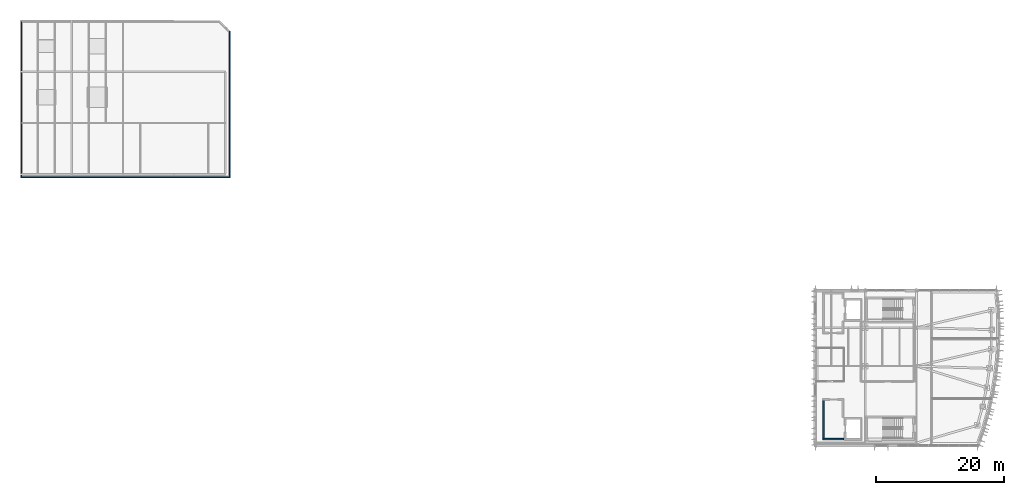
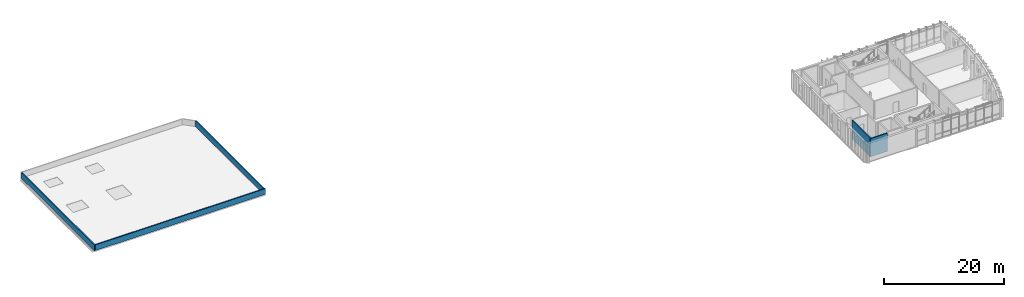
# One storey, part 7 of 14: 5 walls.
"""IFC4 building model written with IfcOpenShell, lengths in metres."""

from ifc_helpers import new_model, si_unit, direction, frame, frame_2d, origin, place, context, subcontext, project, spatial, rectangle, extrude, material, layer, layer_set, type_object, element, save


model = new_model("IFC4")

# Units and contexts
model_context = context("Model", 3, precision=1e-05, world=origin(), true_north=direction((0.0, 1.0)))
body_context = subcontext(model_context, "Body", "Model", "MODEL_VIEW")
ifc_project = project(units=[si_unit("LENGTHUNIT", "METRE"), si_unit("AREAUNIT", "SQUARE_METRE"), si_unit("VOLUMEUNIT", "CUBIC_METRE"), si_unit("PLANEANGLEUNIT", "RADIAN"), si_unit("MASSUNIT", "GRAM", prefix="KILO")], contexts=[model_context])

# Site, building, storey
site_placement = place(None, origin())
site = spatial("IfcSite", under=ifc_project, at=site_placement, CompositionType="ELEMENT")
building_placement = place(site_placement, origin())
building = spatial("IfcBuilding", under=site, at=building_placement, Name="Cymarion Research Institute", CompositionType="ELEMENT")
storey_placement = place(building_placement, frame((0.0, 0.0, 34.5)))
storey = spatial("IfcBuildingStorey", under=building, at=storey_placement, Name="L08", CompositionType="ELEMENT", Elevation=34.5)

# Walls
ifc_material_1 = material(Name="Precast concrete C40/50", Category="concrete")
ifc_layer_1 = layer(ifc_material_1, 0.219970703125)
ifc_layer_set_1 = layer_set([ifc_layer_1], Name="Precast concrete C40/50")
wall_type_1 = type_object("IfcWallType", Name="EXTERIOR WALL EW-PAR220 220MM", PredefinedType="PARAPET", material=ifc_layer_set_1)
wall_1_placement = place(storey_placement, frame((14.820068359375, 47.010009765625, 0.0), z_axis=(0.0, 0.0, 1.0), x_axis=(1.0, 0.0, 0.0)))
element("IfcWall", 1, at=wall_1_placement, inside=storey, type_object=wall_type_1, Name="L08 ROOF-L08-V4 precast roof parapet #11", PredefinedType="PARAPET", context=body_context, shape_type="SweptSolid", body=[
    extrude(rectangle(XDim=32.579833984375, YDim=0.219970703125, at=frame_2d((16.2900390625, 0.0))), origin(), (0.0, 0.0, 1.0), 1.14990234375),
])
wall_2_placement = place(storey_placement, frame((47.2900390625, 47.1201171875, 0.0), z_axis=(0.0, 0.0, 1.0), x_axis=(0.0, 1.0, 0.0)))
element("IfcWall", 2, at=wall_2_placement, inside=storey, type_object=wall_type_1, Name="L08 ROOF-L08-V4 precast roof parapet #12", PredefinedType="PARAPET", context=body_context, shape_type="SweptSolid", body=[
    extrude(rectangle(XDim=22.679931640625, YDim=0.219970703125, at=frame_2d((11.33984375, 0.0))), origin(), (0.0, 0.0, 1.0), 1.14990234375),
])
wall_3_placement = place(storey_placement, frame((14.7099609375, 71.280029296875, 0.0), z_axis=(0.0, 0.0, 1.0), x_axis=(0.0, -1.0, 0.0)))
element("IfcWall", 3, at=wall_3_placement, inside=storey, type_object=wall_type_1, Name="L08 ROOF-L08-V4 precast roof parapet #15", PredefinedType="PARAPET", context=body_context, shape_type="SweptSolid", body=[
    extrude(rectangle(XDim=24.380126953125, YDim=0.219970703125, at=frame_2d((12.18994140625, 0.0))), origin(), (0.0, 0.0, 1.0), 1.14990234375),
])
ifc_material_2 = material(Name="Concrete C40/50", Category="concrete")
ifc_layer_2 = layer(ifc_material_2, 0.219970703125)
ifc_layer_set_2 = layer_set([ifc_layer_2], Name="Concrete C40/50")
wall_type_2 = type_object("IfcWallType", Name="REINFORCED CONCRETE CORE WALL CW-FF220 220MM", PredefinedType="SOLIDWALL", material=ifc_layer_set_2)
wall_4_placement = place(storey_placement, frame((139.97998046875, 6.090087890625, 0.0), z_axis=(0.0, 0.0, 1.0), x_axis=(1.0, 0.0, 0.0)))
element("IfcWall", 4, at=wall_4_placement, inside=storey, type_object=wall_type_2, Name="L08 FFL-LF1-L08 south core wall", PredefinedType="SOLIDWALL", context=body_context, shape_type="SweptSolid", body=[
    extrude(rectangle(XDim=3.239990234375, YDim=0.219970703125, at=frame_2d((1.6201171875, 0.0))), origin(), (0.0, 0.0, 1.0), 3.699951171875),
])
wall_5_placement = place(storey_placement, frame((140.090087890625, 12.199951171875, 0.0), z_axis=(0.0, 0.0, 1.0), x_axis=(0.0, -1.0, 0.0)))
element("IfcWall", 5, at=wall_5_placement, inside=storey, type_object=wall_type_2, Name="L08 FFL-LF1-L08 west core wall", PredefinedType="SOLIDWALL", context=body_context, shape_type="SweptSolid", body=[
    extrude(rectangle(XDim=6.0, YDim=0.219970703125, at=frame_2d((3.0, 0.0))), origin(), (0.0, 0.0, 1.0), 3.699951171875),
])

save(model, "model.ifc")
